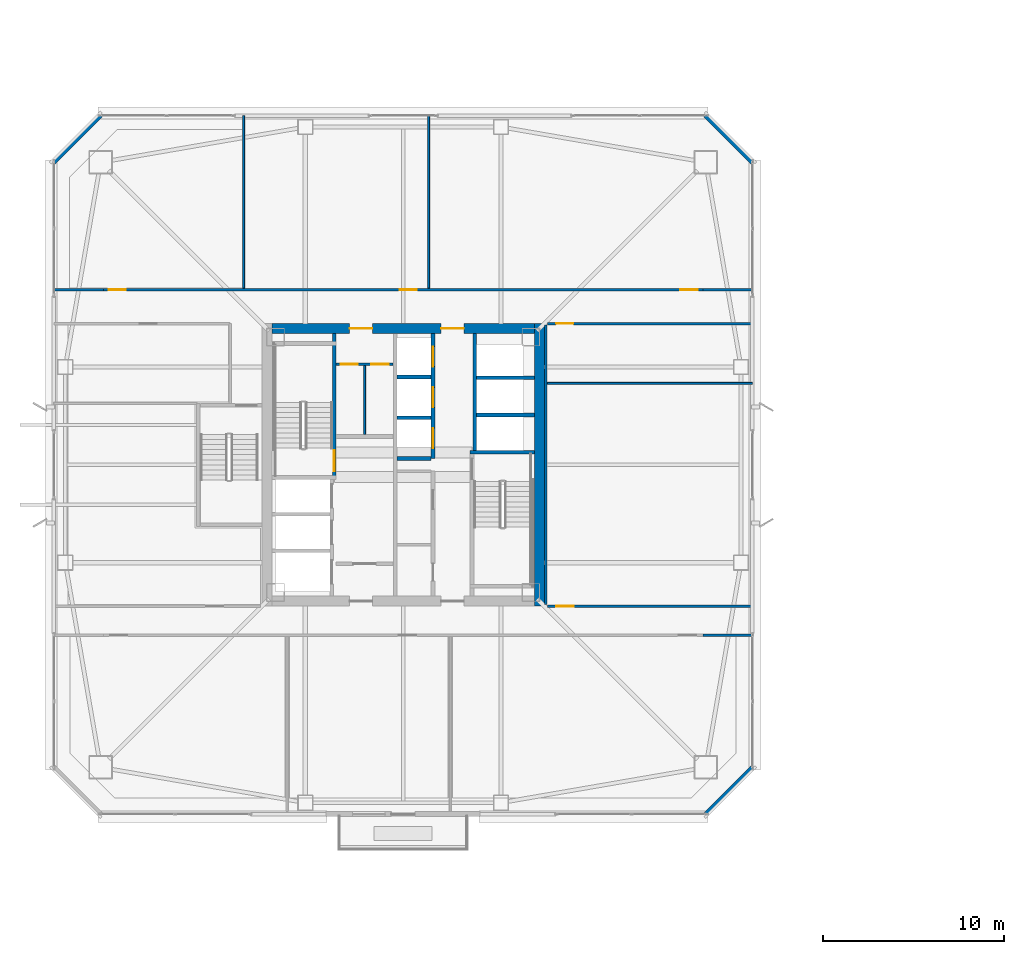
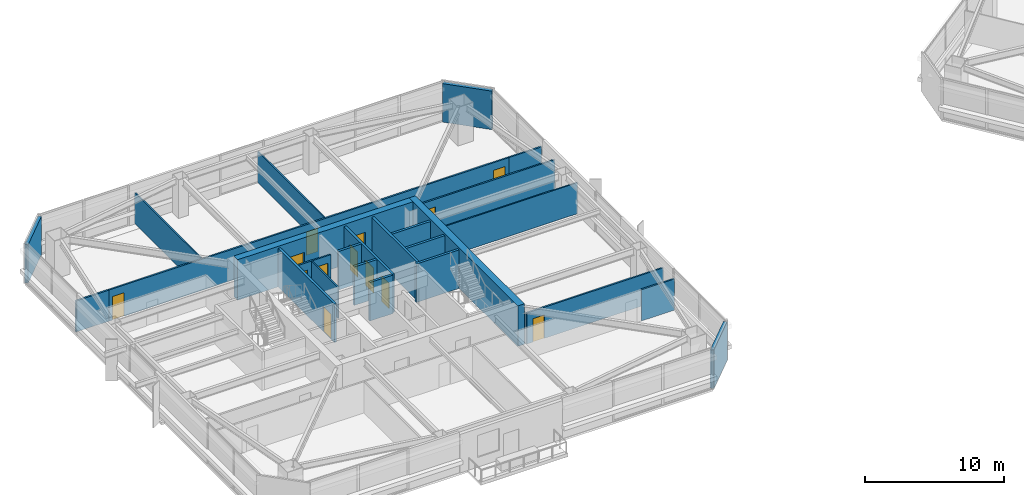
# One storey, part 37 of 48: 26 walls, 13 doors, 13 openings.
"""IFC4 building model written with IfcOpenShell, lengths in metres."""

from ifc_helpers import new_model, si_unit, direction, frame, frame_2d, origin, place, context, subcontext, project, spatial, rectangle, extrude, material, layer, layer_set, type_object, element, fill, save


model = new_model("IFC4")

# Units and contexts
model_context = context("Model", 3, precision=1e-05, world=origin(), true_north=direction((0.0, 1.0)))
body_context = subcontext(model_context, "Body", "Model", "MODEL_VIEW")
ifc_project = project(units=[si_unit("LENGTHUNIT", "METRE"), si_unit("AREAUNIT", "SQUARE_METRE"), si_unit("VOLUMEUNIT", "CUBIC_METRE"), si_unit("PLANEANGLEUNIT", "RADIAN"), si_unit("MASSUNIT", "GRAM", prefix="KILO")], contexts=[model_context])

# Site, building, storey
site_placement = place(None, origin())
site = spatial("IfcSite", under=ifc_project, at=site_placement, CompositionType="ELEMENT")
building_placement = place(site_placement, origin())
building = spatial("IfcBuilding", under=site, at=building_placement, Name="Tashvorn Skyway Center", CompositionType="ELEMENT")
storey_placement = place(building_placement, frame((0.0, 0.0, 125.050048828125)))
storey = spatial("IfcBuildingStorey", under=building, at=storey_placement, Name="L33", CompositionType="ELEMENT", Elevation=125.050048828125)

# Wall
ifc_material_1 = material(Name="Concrete C60/75", Category="concrete")
ifc_layer_1 = layer(ifc_material_1, 0.550048828125)
ifc_layer_set_1 = layer_set([ifc_layer_1], Name="Concrete C60/75")
wall_type_1 = type_object("IfcWallType", Name="WALL-CORE-550", PredefinedType="SHEAR", material=ifc_layer_set_1)
wall_1_placement = place(storey_placement, frame((49.52490234375, 39.800048828125, 0.0), z_axis=(0.0, 0.0, 1.0), x_axis=(0.0, -1.0, 0.0)))
element("IfcWall", 1, at=wall_1_placement, inside=storey, type_object=wall_type_1, Name="Tower 1 L33 East Core Shear Wall", PredefinedType="SHEAR", context=body_context, shape_type="SweptSolid", body=[
    extrude(rectangle(XDim=15.60009765625, YDim=0.550048828125, at=frame_2d((7.800048828125, 0.0))), origin(), (0.0, 0.0, 1.0), 3.550048828125),
])

# Wall, openings, doors
wall_2_placement = place(storey_placement, frame((34.75, 39.52490234375, 0.0), z_axis=(0.0, 0.0, 1.0), x_axis=(1.0, 0.0, 0.0)))
wall_2 = element("IfcWall", 2, at=wall_2_placement, inside=storey, type_object=wall_type_1, Name="Tower 1 L33 North Core Shear Wall", PredefinedType="SHEAR", context=body_context, shape_type="SweptSolid", body=[
    extrude(rectangle(XDim=14.5, YDim=0.550048828125, at=frame_2d((7.25, 0.0))), origin(), (0.0, 0.0, 1.0), 3.550048828125),
])
opening_1_placement = place(wall_2_placement, frame((4.300048828125, 0.0, 0.0)))
opening_1 = element("IfcOpeningElement", 3, at=opening_1_placement, cuts=wall_2, Name="Opening D-FFL-1250", PredefinedType="OPENING", context=body_context, shape_type="SweptSolid", body=[
    extrude(rectangle(XDim=1.25, YDim=2.25, at=frame_2d((0.625, 1.125))), frame((0.0, 0.284912109375, 0.0), z_axis=(0.0, -1.0, 0.0), x_axis=(1.0, 0.0, 0.0)), (0.0, 0.0, 1.0), 0.570068359375),
])
opening_2_placement = place(wall_2_placement, frame((9.35009765625, 0.0, 0.0)))
opening_2 = element("IfcOpeningElement", 4, at=opening_2_placement, cuts=wall_2, Name="Opening D-FFL-1250", PredefinedType="OPENING", context=body_context, shape_type="SweptSolid", body=[
    extrude(rectangle(XDim=1.25, YDim=2.25, at=frame_2d((0.625, 1.125))), frame((0.0, 0.284912109375, 0.0), z_axis=(0.0, -1.0, 0.0), x_axis=(1.0, 0.0, 0.0)), (0.0, 0.0, 1.0), 0.570068359375),
])
ifc_material_2 = material(Name="Hollow galvanized steel fire door assembly", Category="steel")
door_type_1 = type_object("IfcDoorType", Name="DOOR-FFL-1250", OperationType="NOTDEFINED", PredefinedType="DOOR", material=ifc_material_2)
door_1_placement = place(opening_1_placement, origin())
door_1 = element("IfcDoor", 5, at=door_1_placement, inside=storey, type_object=door_type_1, Name="Tower 1 L33 Core North Service Lobby Door", OperationType="SINGLE_SWING_LEFT", OverallHeight=2.25, OverallWidth=1.25, PredefinedType="DOOR", context=body_context, shape_type="SweptSolid", body=[
    extrude(rectangle(XDim=1.25, YDim=2.25, at=frame_2d((0.625, 1.125))), frame((0.0, 0.02490234375, 0.0), z_axis=(0.0, -1.0, 0.0), x_axis=(1.0, 0.0, 0.0)), (0.0, 0.0, 1.0), 0.050048828125),
])
fill(opening_1, door_1)
door_2_placement = place(opening_2_placement, origin())
door_2 = element("IfcDoor", 6, at=door_2_placement, inside=storey, type_object=door_type_1, Name="Tower 1 L33 Core North Lift Lobby Door", OperationType="SINGLE_SWING_RIGHT", OverallHeight=2.25, OverallWidth=1.25, PredefinedType="DOOR", context=body_context, shape_type="SweptSolid", body=[
    extrude(rectangle(XDim=1.25, YDim=2.25, at=frame_2d((0.625, 1.125))), frame((0.0, 0.02490234375, 0.0), z_axis=(0.0, -1.0, 0.0), x_axis=(1.0, 0.0, 0.0)), (0.0, 0.0, 1.0), 0.050048828125),
])
fill(opening_2, door_2)

# Walls
ifc_material_3 = material(Name="Precast concrete C40/50", Category="concrete")
ifc_layer_2 = layer(ifc_material_3, 0.280029296875)
ifc_layer_set_2 = layer_set([ifc_layer_2], Name="Precast concrete C40/50")
wall_type_2 = type_object("IfcWallType", Name="WALL-EXT-280", PredefinedType="SOLIDWALL", material=ifc_layer_set_2)
for number, where, z_axis, x_axis, name in (
    (7, (22.699951171875, 48.699951171875, 0.0), (0.0, 0.0, 1.0), (0.707106781187, 0.707106781187, 0.0), "Tower 1 L33 NW Precast Chamfer Wall"),
    (8, (58.699951171875, 51.300048828125, 0.0), (0.0, 0.0, 1.0), (0.707106781187, -0.707106781187, 0.0), "Tower 1 L33 NE Precast Chamfer Wall"),
    (9, (61.300048828125, 15.300048828125, 0.0), (0.0, 0.0, 1.0), (-0.707106781187, -0.707106781187, 0.0), "Tower 1 L33 SE Precast Chamfer Wall"),
):
    element("IfcWall", number, at=place(storey_placement, frame(where, z_axis=z_axis, x_axis=x_axis)), inside=storey, type_object=wall_type_2, Name=name, PredefinedType="SOLIDWALL", context=body_context, shape_type="SweptSolid", body=[
        extrude(rectangle(XDim=3.677001953125, YDim=0.280029296875, at=frame_2d((1.83837890625, 0.0))), origin(), (0.0, 0.0, 1.0), 3.369873046875),
    ])
ifc_material_4 = material(Name="Gypsum board on cold-formed steel stud framing", Category="steel")
ifc_layer_3 = layer(ifc_material_4, 0.110107421875)
ifc_layer_set_3 = layer_set([ifc_layer_3], Name="Gypsum board on cold-formed steel stud framing")
wall_type_3 = type_object("IfcWallType", Name="WALL-PART-110", PredefinedType="PARTITIONING", material=ifc_layer_set_3)
for number, where, z_axis, x_axis, name in (
    (10, (33.199951171875, 41.75, 0.0), (0.0, 0.0, 1.0), (0.0, 1.0, 0.0), "Tower 1 L33 North Suite Partition 1"),
    (11, (43.39990234375, 41.75, 0.0), (0.0, 0.0, 1.0), (0.0, 1.0, 0.0), "Tower 1 L33 North Suite Partition 2"),
):
    element("IfcWall", number, at=place(storey_placement, frame(where, z_axis=z_axis, x_axis=x_axis)), inside=storey, type_object=wall_type_3, Name=name, PredefinedType="PARTITIONING", context=body_context, shape_type="SweptSolid", body=[
        extrude(rectangle(XDim=9.530029296875, YDim=0.110107421875, at=frame_2d((4.76513671875, 0.0))), origin(), (0.0, 0.0, 1.0), 2.722900390625),
    ])
wall_3_placement = place(storey_placement, frame((49.9599609375, 36.5, 0.0), z_axis=(0.0, 0.0, 1.0), x_axis=(1.0, 0.0, 0.0)))
element("IfcWall", 12, at=wall_3_placement, inside=storey, type_object=wall_type_3, Name="Tower 1 L33 East Mid Partition", PredefinedType="PARTITIONING", context=body_context, shape_type="SweptSolid", body=[
    extrude(rectangle(XDim=11.320068359375, YDim=0.110107421875, at=frame_2d((5.66015625, 0.0))), origin(), (0.0, 0.0, 1.0), 2.722900390625),
])

# Wall, openings, doors
ifc_layer_4 = layer(ifc_material_4, 0.135009765625)
ifc_layer_set_4 = layer_set([ifc_layer_4], Name="Gypsum board on cold-formed steel stud framing")
wall_type_4 = type_object("IfcWallType", Name="WALL-PART-135", PredefinedType="PARTITIONING", material=ifc_layer_set_4)
wall_4_placement = place(storey_placement, frame((25.449951171875, 41.669921875, 0.0), z_axis=(0.0, 0.0, 1.0), x_axis=(1.0, 0.0, 0.0)))
wall_4 = element("IfcWall", 13, at=wall_4_placement, inside=storey, type_object=wall_type_4, Name="Tower 1 L33 North Suite Wall", PredefinedType="PARTITIONING", context=body_context, shape_type="SweptSolid", body=[
    extrude(rectangle(XDim=33.10009765625, YDim=0.135009765625, at=frame_2d((16.550048828125, 0.0))), origin(), (0.0, 0.0, 1.0), 2.722900390625),
])
opening_3_placement = place(wall_4_placement, frame((0.300048828125, 0.0, 0.0)))
opening_3 = element("IfcOpeningElement", 14, at=opening_3_placement, cuts=wall_4, Name="Opening D-INT-950", PredefinedType="OPENING", context=body_context, shape_type="SweptSolid", body=[
    extrude(rectangle(XDim=0.949951171875, YDim=2.050048828125, at=frame_2d((0.47509765625, 1.02490234375))), frame((0.0, 0.077392578125, 0.0), z_axis=(0.0, -1.0, 0.0), x_axis=(1.0, 0.0, 0.0)), (0.0, 0.0, 1.0), 0.155029296875),
])
opening_4_placement = place(wall_4_placement, frame((16.36279296875, 0.0, 0.0)))
opening_4 = element("IfcOpeningElement", 15, at=opening_4_placement, cuts=wall_4, Name="Opening D-INT-950", PredefinedType="OPENING", context=body_context, shape_type="SweptSolid", body=[
    extrude(rectangle(XDim=0.949951171875, YDim=2.050048828125, at=frame_2d((0.47509765625, 1.02490234375))), frame((0.0, 0.077392578125, 0.0), z_axis=(0.0, -1.0, 0.0), x_axis=(1.0, 0.0, 0.0)), (0.0, 0.0, 1.0), 0.155029296875),
])
opening_5_placement = place(wall_4_placement, frame((31.85009765625, 0.0, 0.0)))
opening_5 = element("IfcOpeningElement", 16, at=opening_5_placement, cuts=wall_4, Name="Opening D-INT-950", PredefinedType="OPENING", context=body_context, shape_type="SweptSolid", body=[
    extrude(rectangle(XDim=0.949951171875, YDim=2.050048828125, at=frame_2d((0.47509765625, 1.02490234375))), frame((0.0, 0.077392578125, 0.0), z_axis=(0.0, -1.0, 0.0), x_axis=(1.0, 0.0, 0.0)), (0.0, 0.0, 1.0), 0.155029296875),
])
ifc_material_5 = material(Name="Solid-core architectural oak veneer door")
door_type_2 = type_object("IfcDoorType", Name="DOOR-INT-950", OperationType="NOTDEFINED", PredefinedType="DOOR", material=ifc_material_5)
door_3_placement = place(opening_3_placement, origin())
door_3 = element("IfcDoor", 17, at=door_3_placement, inside=storey, type_object=door_type_2, Name="Tower 1 L33 Executive Suite Door", OperationType="SINGLE_SWING_RIGHT", OverallHeight=2.050048828125, OverallWidth=0.949951171875, PredefinedType="DOOR", context=body_context, shape_type="SweptSolid", body=[
    extrude(rectangle(XDim=0.949951171875, YDim=2.050048828125, at=frame_2d((0.47509765625, 1.02490234375))), frame((0.0, 0.02490234375, 0.0), z_axis=(0.0, -1.0, 0.0), x_axis=(1.0, 0.0, 0.0)), (0.0, 0.0, 1.0), 0.050048828125),
])
fill(opening_3, door_3)
door_4_placement = place(opening_4_placement, origin())
door_4 = element("IfcDoor", 18, at=door_4_placement, inside=storey, type_object=door_type_2, Name="Tower 1 L33 Executive Suite Door", OperationType="SINGLE_SWING_LEFT", OverallHeight=2.050048828125, OverallWidth=0.949951171875, PredefinedType="DOOR", context=body_context, shape_type="SweptSolid", body=[
    extrude(rectangle(XDim=0.949951171875, YDim=2.050048828125, at=frame_2d((0.47509765625, 1.02490234375))), frame((0.0, 0.02490234375, 0.0), z_axis=(0.0, -1.0, 0.0), x_axis=(1.0, 0.0, 0.0)), (0.0, 0.0, 1.0), 0.050048828125),
])
fill(opening_4, door_4)
door_5_placement = place(opening_5_placement, origin())
door_5 = element("IfcDoor", 19, at=door_5_placement, inside=storey, type_object=door_type_2, Name="Tower 1 L33 Boardroom Door", OperationType="SINGLE_SWING_RIGHT", OverallHeight=2.050048828125, OverallWidth=0.949951171875, PredefinedType="DOOR", context=body_context, shape_type="SweptSolid", body=[
    extrude(rectangle(XDim=0.949951171875, YDim=2.050048828125, at=frame_2d((0.47509765625, 1.02490234375))), frame((0.0, 0.02490234375, 0.0), z_axis=(0.0, -1.0, 0.0), x_axis=(1.0, 0.0, 0.0)), (0.0, 0.0, 1.0), 0.050048828125),
])
fill(opening_5, door_5)

# Walls
for number, where, z_axis, x_axis, name in (
    (20, (22.719970703125, 41.669921875, 0.0), (0.0, 0.0, 1.0), (1.0, 0.0, 0.0), "Tower 1 L33 North-West Suite South Wall"),
    (21, (58.550048828125, 41.669921875, 0.0), (0.0, 0.0, 1.0), (1.0, 0.0, 0.0), "Tower 1 L33 North-East Suite South Wall"),
    (22, (58.550048828125, 22.60009765625, 0.0), (0.0, 0.0, 1.0), (1.0, 0.0, 0.0), "Tower 1 L33 South-East Suite North Wall"),
):
    element("IfcWall", number, at=place(storey_placement, frame(where, z_axis=z_axis, x_axis=x_axis)), inside=storey, type_object=wall_type_4, Name=name, PredefinedType="PARTITIONING", context=body_context, shape_type="SweptSolid", body=[
        extrude(rectangle(XDim=2.72998046875, YDim=0.135009765625, at=frame_2d((1.364990234375, 0.0))), origin(), (0.0, 0.0, 1.0), 2.722900390625),
    ])
wall_5_placement = place(storey_placement, frame((49.8798828125, 39.719970703125, 0.0), z_axis=(0.0, 0.0, 1.0), x_axis=(0.0, -1.0, 0.0)))
element("IfcWall", 23, at=wall_5_placement, inside=storey, type_object=wall_type_4, Name="Tower 1 L33 East Inner Suite Wall", PredefinedType="PARTITIONING", context=body_context, shape_type="SweptSolid", body=[
    extrude(rectangle(XDim=15.43994140625, YDim=0.135009765625, at=frame_2d((7.719970703125, 0.0))), origin(), (0.0, 0.0, 1.0), 2.722900390625),
])

# Wall, opening, door
wall_6_placement = place(storey_placement, frame((61.280029296875, 39.800048828125, 0.0), z_axis=(0.0, 0.0, 1.0), x_axis=(-1.0, 0.0, 0.0)))
wall_6 = element("IfcWall", 24, at=wall_6_placement, inside=storey, type_object=wall_type_4, Name="Tower 1 L33 East Suite North Wall", PredefinedType="PARTITIONING", context=body_context, shape_type="SweptSolid", body=[
    extrude(rectangle(XDim=11.320068359375, YDim=0.135009765625, at=frame_2d((5.66015625, 0.0))), origin(), (0.0, 0.0, 1.0), 2.722900390625),
])
opening_6_placement = place(wall_6_placement, frame((9.8798828125, 0.0, 0.0)))
opening_6 = element("IfcOpeningElement", 25, at=opening_6_placement, cuts=wall_6, Name="Opening D-INT-950", PredefinedType="OPENING", context=body_context, shape_type="SweptSolid", body=[
    extrude(rectangle(XDim=0.949951171875, YDim=2.050048828125, at=frame_2d((0.47509765625, 1.02490234375))), frame((0.0, 0.077392578125, 0.0), z_axis=(0.0, -1.0, 0.0), x_axis=(1.0, 0.0, 0.0)), (0.0, 0.0, 1.0), 0.155029296875),
])
door_6_placement = place(opening_6_placement, origin())
door_6 = element("IfcDoor", 26, at=door_6_placement, inside=storey, type_object=door_type_2, Name="Tower 1 L33 Executive Suite Door", OperationType="SINGLE_SWING_RIGHT", OverallHeight=2.050048828125, OverallWidth=0.949951171875, PredefinedType="DOOR", context=body_context, shape_type="SweptSolid", body=[
    extrude(rectangle(XDim=0.949951171875, YDim=2.050048828125, at=frame_2d((0.47509765625, 1.02490234375))), frame((0.0, 0.02490234375, 0.0), z_axis=(0.0, -1.0, 0.0), x_axis=(1.0, 0.0, 0.0)), (0.0, 0.0, 1.0), 0.050048828125),
])
fill(opening_6, door_6)

wall_7_placement = place(storey_placement, frame((49.9599609375, 24.199951171875, 0.0), z_axis=(0.0, 0.0, 1.0), x_axis=(1.0, 0.0, 0.0)))
wall_7 = element("IfcWall", 27, at=wall_7_placement, inside=storey, type_object=wall_type_4, Name="Tower 1 L33 East Suite South Wall", PredefinedType="PARTITIONING", context=body_context, shape_type="SweptSolid", body=[
    extrude(rectangle(XDim=11.320068359375, YDim=0.135009765625, at=frame_2d((5.66015625, 0.0))), origin(), (0.0, 0.0, 1.0), 2.722900390625),
])
opening_7_placement = place(wall_7_placement, frame((0.5, 0.0, 0.0)))
opening_7 = element("IfcOpeningElement", 28, at=opening_7_placement, cuts=wall_7, Name="Opening D-INT-950", PredefinedType="OPENING", context=body_context, shape_type="SweptSolid", body=[
    extrude(rectangle(XDim=0.949951171875, YDim=2.050048828125, at=frame_2d((0.47509765625, 1.02490234375))), frame((0.0, 0.077392578125, 0.0), z_axis=(0.0, -1.0, 0.0), x_axis=(1.0, 0.0, 0.0)), (0.0, 0.0, 1.0), 0.155029296875),
])
door_7_placement = place(opening_7_placement, origin())
door_7 = element("IfcDoor", 29, at=door_7_placement, inside=storey, type_object=door_type_2, Name="Tower 1 L33 Public Restroom Door", OperationType="SINGLE_SWING_LEFT", OverallHeight=2.050048828125, OverallWidth=0.949951171875, PredefinedType="DOOR", context=body_context, shape_type="SweptSolid", body=[
    extrude(rectangle(XDim=0.949951171875, YDim=2.050048828125, at=frame_2d((0.47509765625, 1.02490234375))), frame((0.0, 0.02490234375, 0.0), z_axis=(0.0, -1.0, 0.0), x_axis=(1.0, 0.0, 0.0)), (0.0, 0.0, 1.0), 0.050048828125),
])
fill(opening_7, door_7)

# Wall
ifc_layer_5 = layer(ifc_material_4, 0.110107421875)
ifc_layer_set_5 = layer_set([ifc_layer_5], Name="Gypsum board on cold-formed steel stud framing")
wall_type_5 = type_object("IfcWallType", Name="WALL-RATED-110", PredefinedType="PARTITIONING", material=ifc_layer_set_5)
wall_8_placement = place(storey_placement, frame((39.8798828125, 33.679931640625, 0.0), z_axis=(0.0, 0.0, 1.0), x_axis=(0.0, 1.0, 0.0)))
element("IfcWall", 30, at=wall_8_placement, inside=storey, type_object=wall_type_5, Name="Tower 1 L33 Core Split Partition", PredefinedType="PARTITIONING", context=body_context, shape_type="SweptSolid", body=[
    extrude(rectangle(XDim=3.800048828125, YDim=0.110107421875, at=frame_2d((1.89990234375, 0.0))), origin(), (0.0, 0.0, 1.0), 2.722900390625),
])

# Wall, openings, doors
ifc_layer_6 = layer(ifc_material_4, 0.135009765625)
ifc_layer_set_6 = layer_set([ifc_layer_6], Name="Gypsum board on cold-formed steel stud framing")
wall_type_6 = type_object("IfcWallType", Name="WALL-RATED-135", PredefinedType="PARTITIONING", material=ifc_layer_set_6)
wall_9_placement = place(storey_placement, frame((38.300048828125, 37.550048828125, 0.0), z_axis=(0.0, 0.0, 1.0), x_axis=(1.0, 0.0, 0.0)))
wall_9 = element("IfcWall", 31, at=wall_9_placement, inside=storey, type_object=wall_type_6, Name="Tower 1 L33 Core Service Lobby Wall", PredefinedType="PARTITIONING", context=body_context, shape_type="SweptSolid", body=[
    extrude(rectangle(XDim=3.14990234375, YDim=0.135009765625, at=frame_2d((1.574951171875, 0.0))), origin(), (0.0, 0.0, 1.0), 2.722900390625),
])
opening_8_placement = place(wall_9_placement, frame((0.25, 0.0, 0.0)))
opening_8 = element("IfcOpeningElement", 32, at=opening_8_placement, cuts=wall_9, Name="Opening D-RT-950", PredefinedType="OPENING", context=body_context, shape_type="SweptSolid", body=[
    extrude(rectangle(XDim=0.949951171875, YDim=2.050048828125, at=frame_2d((0.47509765625, 1.02490234375))), frame((0.0, 0.077392578125, 0.0), z_axis=(0.0, -1.0, 0.0), x_axis=(1.0, 0.0, 0.0)), (0.0, 0.0, 1.0), 0.155029296875),
])
opening_9_placement = place(wall_9_placement, frame((1.949951171875, 0.0, 0.0)))
opening_9 = element("IfcOpeningElement", 33, at=opening_9_placement, cuts=wall_9, Name="Opening D-RT-950", PredefinedType="OPENING", context=body_context, shape_type="SweptSolid", body=[
    extrude(rectangle(XDim=0.949951171875, YDim=2.050048828125, at=frame_2d((0.47509765625, 1.02490234375))), frame((0.0, 0.077392578125, 0.0), z_axis=(0.0, -1.0, 0.0), x_axis=(1.0, 0.0, 0.0)), (0.0, 0.0, 1.0), 0.155029296875),
])
door_type_3 = type_object("IfcDoorType", Name="DOOR-RATED-950", OperationType="NOTDEFINED", PredefinedType="DOOR", material=ifc_material_2)
door_8_placement = place(opening_8_placement, origin())
door_8 = element("IfcDoor", 34, at=door_8_placement, inside=storey, type_object=door_type_3, Name="Tower 1 L33 Core Accessible WC Door", OperationType="SINGLE_SWING_LEFT", OverallHeight=2.050048828125, OverallWidth=0.949951171875, PredefinedType="DOOR", context=body_context, shape_type="SweptSolid", body=[
    extrude(rectangle(XDim=0.949951171875, YDim=2.050048828125, at=frame_2d((0.47509765625, 1.02490234375))), frame((0.0, 0.02490234375, 0.0), z_axis=(0.0, -1.0, 0.0), x_axis=(1.0, 0.0, 0.0)), (0.0, 0.0, 1.0), 0.050048828125),
])
fill(opening_8, door_8)
door_9_placement = place(opening_9_placement, origin())
door_9 = element("IfcDoor", 35, at=door_9_placement, inside=storey, type_object=door_type_3, Name="Tower 1 L33 Core Cleaner Store Door", OperationType="SINGLE_SWING_RIGHT", OverallHeight=2.050048828125, OverallWidth=0.949951171875, PredefinedType="DOOR", context=body_context, shape_type="SweptSolid", body=[
    extrude(rectangle(XDim=0.949951171875, YDim=2.050048828125, at=frame_2d((0.47509765625, 1.02490234375))), frame((0.0, 0.02490234375, 0.0), z_axis=(0.0, -1.0, 0.0), x_axis=(1.0, 0.0, 0.0)), (0.0, 0.0, 1.0), 0.050048828125),
])
fill(opening_9, door_9)

# Walls
ifc_material_6 = material(Name="Concrete C40/50", Category="concrete")
ifc_layer_7 = layer(ifc_material_6, 0.199951171875)
ifc_layer_set_7 = layer_set([ifc_layer_7], Name="Concrete C40/50")
wall_type_7 = type_object("IfcWallType", Name="WALL-SHAFT-200", PredefinedType="SOLIDWALL", material=ifc_layer_set_7)
for number, where, z_axis, x_axis, name in (
    (36, (46.050048828125, 34.75, 0.0), (0.0, 0.0, 1.0), (1.0, 0.0, 0.0), "Tower 1 L33 High-Rise Shaft Divider"),
    (37, (46.050048828125, 36.800048828125, 0.0), (0.0, 0.0, 1.0), (1.0, 0.0, 0.0), "Tower 1 L33 High-Rise Shaft Divider"),
):
    element("IfcWall", number, at=place(storey_placement, frame(where, z_axis=z_axis, x_axis=x_axis)), inside=storey, type_object=wall_type_7, Name=name, PredefinedType="SOLIDWALL", context=body_context, shape_type="SweptSolid", body=[
        extrude(rectangle(XDim=3.199951171875, YDim=0.199951171875, at=frame_2d((1.60009765625, 0.0))), origin(), (0.0, 0.0, 1.0), 3.369873046875),
    ])

# Wall, openings, doors
wall_10_placement = place(storey_placement, frame((43.64990234375, 32.35009765625, 0.0), z_axis=(0.0, 0.0, 1.0), x_axis=(0.0, 1.0, 0.0)))
wall_10 = element("IfcWall", 38, at=wall_10_placement, inside=storey, type_object=wall_type_7, Name="Tower 1 L33 Mid-Rise Core Wall", PredefinedType="SOLIDWALL", context=body_context, shape_type="SweptSolid", body=[
    extrude(rectangle(XDim=6.89990234375, YDim=0.199951171875, at=frame_2d((3.449951171875, 0.0))), origin(), (0.0, 0.0, 1.0), 3.369873046875),
])
opening_10_placement = place(wall_10_placement, frame((0.574951171875, 0.0, 0.0)))
opening_10 = element("IfcOpeningElement", 39, at=opening_10_placement, cuts=wall_10, Name="Opening LD-MR-T1-1-L33", PredefinedType="OPENING", context=body_context, shape_type="SweptSolid", body=[
    extrude(rectangle(XDim=1.10009765625, YDim=2.199951171875, at=frame_2d((0.550048828125, 1.10009765625))), frame((0.0, 0.10986328125, 0.0), z_axis=(0.0, -1.0, 0.0), x_axis=(1.0, 0.0, 0.0)), (0.0, 0.0, 1.0), 0.219970703125),
])
opening_11_placement = place(wall_10_placement, frame((2.824951171875, 0.0, 0.0)))
opening_11 = element("IfcOpeningElement", 40, at=opening_11_placement, cuts=wall_10, Name="Opening LD-MR-T1-2-L33", PredefinedType="OPENING", context=body_context, shape_type="SweptSolid", body=[
    extrude(rectangle(XDim=1.10009765625, YDim=2.199951171875, at=frame_2d((0.550048828125, 1.10009765625))), frame((0.0, 0.10986328125, 0.0), z_axis=(0.0, -1.0, 0.0), x_axis=(1.0, 0.0, 0.0)), (0.0, 0.0, 1.0), 0.219970703125),
])
opening_12_placement = place(wall_10_placement, frame((5.074951171875, 0.0, 0.0)))
opening_12 = element("IfcOpeningElement", 41, at=opening_12_placement, cuts=wall_10, Name="Opening LD-MR-T1-3-L33", PredefinedType="OPENING", context=body_context, shape_type="SweptSolid", body=[
    extrude(rectangle(XDim=1.10009765625, YDim=2.199951171875, at=frame_2d((0.550048828125, 1.10009765625))), frame((0.0, 0.10986328125, 0.0), z_axis=(0.0, -1.0, 0.0), x_axis=(1.0, 0.0, 0.0)), (0.0, 0.0, 1.0), 0.219970703125),
])
ifc_material_7 = material(Name="Stainless steel landing door", Category="steel")
door_type_4 = type_object("IfcDoorType", Name="DOOR-LIFT-1100", OperationType="SLIDING_TO_LEFT", PredefinedType="DOOR", material=ifc_material_7)
door_10_placement = place(opening_10_placement, origin())
door_10 = element("IfcDoor", 42, at=door_10_placement, inside=storey, type_object=door_type_4, Name="Lift MR-T1-1 L33 Landing Door", OperationType="SLIDING_TO_LEFT", OverallHeight=2.199951171875, OverallWidth=1.10009765625, PredefinedType="DOOR", context=body_context, shape_type="SweptSolid", body=[
    extrude(rectangle(XDim=1.10009765625, YDim=2.199951171875, at=frame_2d((0.550048828125, 1.10009765625))), frame((0.0, 0.02490234375, 0.0), z_axis=(0.0, -1.0, 0.0), x_axis=(1.0, 0.0, 0.0)), (0.0, 0.0, 1.0), 0.050048828125),
])
fill(opening_10, door_10)
door_11_placement = place(opening_11_placement, origin())
door_11 = element("IfcDoor", 43, at=door_11_placement, inside=storey, type_object=door_type_4, Name="Lift MR-T1-2 L33 Landing Door", OperationType="SLIDING_TO_LEFT", OverallHeight=2.199951171875, OverallWidth=1.10009765625, PredefinedType="DOOR", context=body_context, shape_type="SweptSolid", body=[
    extrude(rectangle(XDim=1.10009765625, YDim=2.199951171875, at=frame_2d((0.550048828125, 1.10009765625))), frame((0.0, 0.02490234375, 0.0), z_axis=(0.0, -1.0, 0.0), x_axis=(1.0, 0.0, 0.0)), (0.0, 0.0, 1.0), 0.050048828125),
])
fill(opening_11, door_11)
door_12_placement = place(opening_12_placement, origin())
door_12 = element("IfcDoor", 44, at=door_12_placement, inside=storey, type_object=door_type_4, Name="Lift MR-T1-3 L33 Landing Door", OperationType="SLIDING_TO_LEFT", OverallHeight=2.199951171875, OverallWidth=1.10009765625, PredefinedType="DOOR", context=body_context, shape_type="SweptSolid", body=[
    extrude(rectangle(XDim=1.10009765625, YDim=2.199951171875, at=frame_2d((0.550048828125, 1.10009765625))), frame((0.0, 0.02490234375, 0.0), z_axis=(0.0, -1.0, 0.0), x_axis=(1.0, 0.0, 0.0)), (0.0, 0.0, 1.0), 0.050048828125),
])
fill(opening_12, door_12)

# Walls
for number, where, z_axis, x_axis, name in (
    (45, (41.669921875, 32.35009765625, 0.0), (0.0, 0.0, 1.0), (1.0, 0.0, 0.0), "Tower 1 L33 Mid-Rise Shaft Divider"),
    (46, (41.669921875, 34.60009765625, 0.0), (0.0, 0.0, 1.0), (1.0, 0.0, 0.0), "Tower 1 L33 Mid-Rise Shaft Divider"),
    (47, (41.669921875, 36.85009765625, 0.0), (0.0, 0.0, 1.0), (1.0, 0.0, 0.0), "Tower 1 L33 Mid-Rise Shaft Divider"),
):
    element("IfcWall", number, at=place(storey_placement, frame(where, z_axis=z_axis, x_axis=x_axis)), inside=storey, type_object=wall_type_7, Name=name, PredefinedType="SOLIDWALL", context=body_context, shape_type="SweptSolid", body=[
        extrude(rectangle(XDim=1.880126953125, YDim=0.199951171875, at=frame_2d((0.93994140625, 0.0))), origin(), (0.0, 0.0, 1.0), 3.369873046875),
    ])

# Wall, opening, door
ifc_layer_8 = layer(ifc_material_6, 0.199951171875)
ifc_layer_set_8 = layer_set([ifc_layer_8], Name="Concrete C40/50")
wall_type_8 = type_object("IfcWallType", Name="WALL-STSHF-200", PredefinedType="SHEAR", material=ifc_layer_set_8)
wall_11_placement = place(storey_placement, frame((38.199951171875, 31.199951171875, 0.0), z_axis=(0.0, 0.0, 1.0), x_axis=(0.0, 1.0, 0.0)))
wall_11 = element("IfcWall", 48, at=wall_11_placement, inside=storey, type_object=wall_type_8, Name="Tower 1 L33 Stair 1 Enclosure Wall", PredefinedType="SHEAR", context=body_context, shape_type="SweptSolid", body=[
    extrude(rectangle(XDim=8.050048828125, YDim=0.199951171875, at=frame_2d((4.02490234375, 0.0))), origin(), (0.0, 0.0, 1.0), 3.369873046875),
])
opening_13_placement = place(wall_11_placement, frame((0.449951171875, 0.0, 0.0)))
opening_13 = element("IfcOpeningElement", 49, at=opening_13_placement, cuts=wall_11, Name="Opening D-ST-1150", PredefinedType="OPENING", context=body_context, shape_type="SweptSolid", body=[
    extrude(rectangle(XDim=1.14990234375, YDim=2.199951171875, at=frame_2d((0.574951171875, 1.10009765625))), frame((0.0, 0.10986328125, 0.0), z_axis=(0.0, -1.0, 0.0), x_axis=(1.0, 0.0, 0.0)), (0.0, 0.0, 1.0), 0.219970703125),
])
door_type_5 = type_object("IfcDoorType", Name="DOOR-STAIR-1150", OperationType="NOTDEFINED", PredefinedType="DOOR", material=ifc_material_2)
door_13_placement = place(opening_13_placement, origin())
door_13 = element("IfcDoor", 50, at=door_13_placement, inside=storey, type_object=door_type_5, Name="Tower 1 L33 Exit Stair 1 Door", OperationType="SINGLE_SWING_RIGHT", OverallHeight=2.199951171875, OverallWidth=1.14990234375, PredefinedType="DOOR", context=body_context, shape_type="SweptSolid", body=[
    extrude(rectangle(XDim=1.14990234375, YDim=2.199951171875, at=frame_2d((0.574951171875, 1.10009765625))), frame((0.0, 0.02490234375, 0.0), z_axis=(0.0, -1.0, 0.0), x_axis=(1.0, 0.0, 0.0)), (0.0, 0.0, 1.0), 0.050048828125),
])
fill(opening_13, door_13)

# Walls
wall_12_placement = place(storey_placement, frame((45.699951171875, 32.699951171875, 0.0), z_axis=(0.0, 0.0, 1.0), x_axis=(1.0, 0.0, 0.0)))
element("IfcWall", 51, at=wall_12_placement, inside=storey, type_object=wall_type_8, Name="Tower 1 L33 Stair 2 North Wall", PredefinedType="SHEAR", context=body_context, shape_type="SweptSolid", body=[
    extrude(rectangle(XDim=3.550048828125, YDim=0.199951171875, at=frame_2d((1.77490234375, 0.0))), origin(), (0.0, 0.0, 1.0), 3.369873046875),
])
wall_13_placement = place(storey_placement, frame((45.949951171875, 39.25, 0.0), z_axis=(0.0, 0.0, 1.0), x_axis=(0.0, -1.0, 0.0)))
element("IfcWall", 52, at=wall_13_placement, inside=storey, type_object=wall_type_8, Name="Tower 1 L33 High-Rise Lift Shaft Front Wall", PredefinedType="SHEAR", context=body_context, shape_type="SweptSolid", body=[
    extrude(rectangle(XDim=6.449951171875, YDim=0.199951171875, at=frame_2d((3.22509765625, 0.0))), origin(), (0.0, 0.0, 1.0), 3.369873046875),
])

save(model, "model.ifc")
